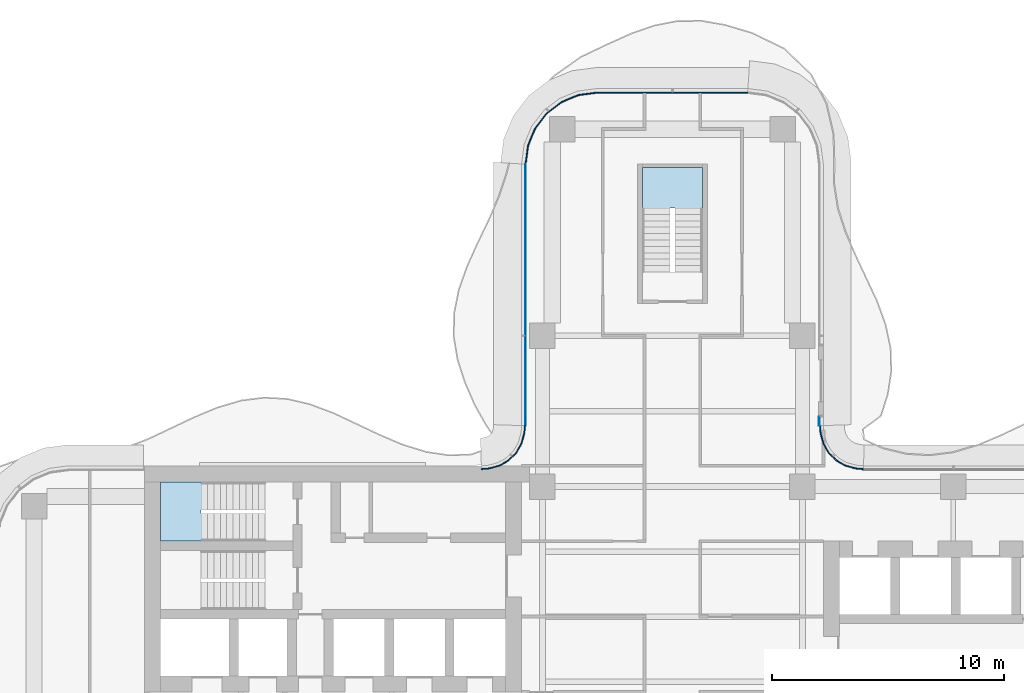
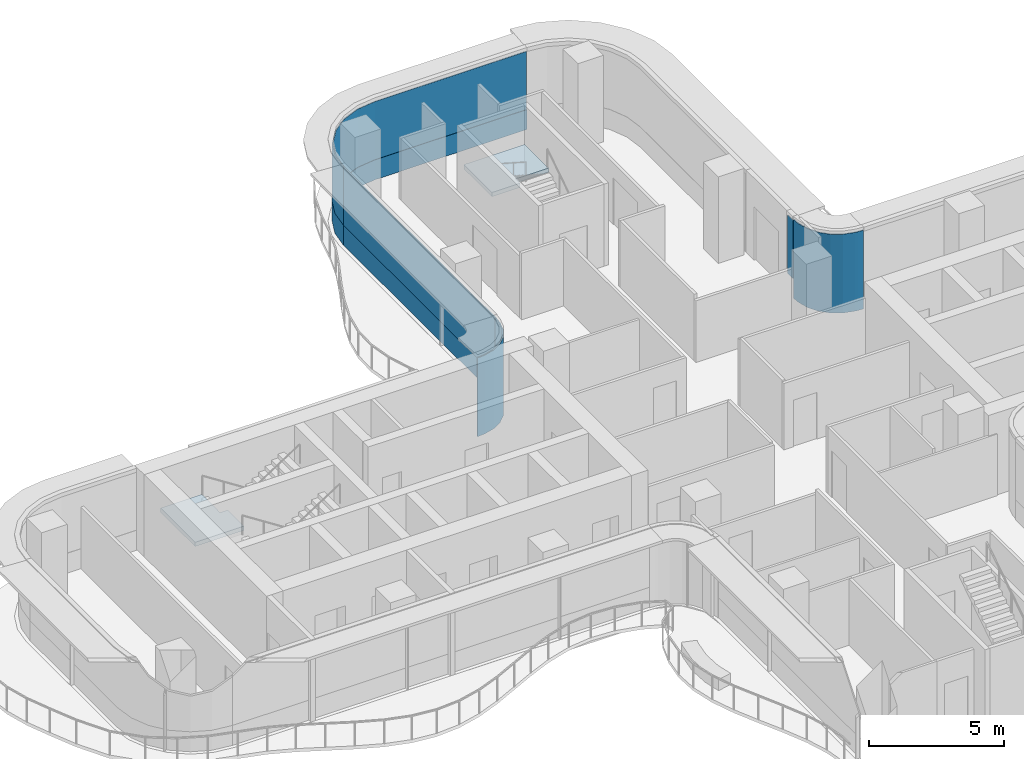
# One storey, part 12 of 19: 7 plates, 2 slabs, 7 elements without a shape of their own.
"""IFC4 building model written with IfcOpenShell, lengths in metres."""

from ifc_helpers import new_model, si_unit, direction, frame, origin, place, context, subcontext, project, spatial, polyline, outline, extrude, source, transform, mapped, material, layer, layer_set, type_object, element, aggregate, save


model = new_model("IFC4")

# Units and contexts
model_context = context("Model", 3, precision=1e-05, world=origin(), true_north=direction((0.0, 1.0)))
body_context = subcontext(model_context, "Body", "Model", "MODEL_VIEW")
ifc_project = project(units=[si_unit("LENGTHUNIT", "METRE"), si_unit("AREAUNIT", "SQUARE_METRE"), si_unit("VOLUMEUNIT", "CUBIC_METRE"), si_unit("PLANEANGLEUNIT", "RADIAN"), si_unit("MASSUNIT", "GRAM", prefix="KILO")], contexts=[model_context])

# Site, building, storey
site_placement = place(None, origin())
site = spatial("IfcSite", under=ifc_project, at=site_placement, CompositionType="ELEMENT")
building_placement = place(site_placement, origin())
building = spatial("IfcBuilding", under=site, at=building_placement, Name="Trellis Farm Tower", CompositionType="ELEMENT")
storey_placement = place(building_placement, frame((0.0, 0.0, 228.5)))
storey = spatial("IfcBuildingStorey", under=building, at=storey_placement, Name="L50", CompositionType="ELEMENT", Elevation=228.5)

# Stair, slab
ifc_material_1 = material(Name="Concrete C50/60", Category="concrete")
stair_type = type_object("IfcStairType", Name="CORE EXIT STAIR 22 RISERS 177 MM", PredefinedType="HALF_TURN_STAIR", material=ifc_material_1)
placement_1 = place(storey_placement, origin())
stair_1 = element("IfcStair", 1, at=placement_1, inside=storey, type_object=stair_type, Name="Exit stair N", PredefinedType="HALF_TURN_STAIR")
ifc_layer_1 = layer(ifc_material_1, 0.18994140625)
ifc_layer_set_1 = layer_set([ifc_layer_1], Name="CORE STAIR LANDING 190 CONCRETE C50/60")
slab_type = type_object("IfcSlabType", Name="CORE STAIR LANDING 190 CONCRETE C50/60", PredefinedType="LANDING", material=ifc_layer_set_1)
shared_shape_1 = source(origin(), body_context, "Body", "SweptSolid", [
    extrude(outline(polyline([(-0.10009765625, 17.27197265625), (-1.300048828125, 17.27197265625), (-1.300048828125, 17.60009765625), (-1.300048828125, 19.35009765625), (1.300048828125, 19.35009765625), (1.300048828125, 17.60009765625), (1.300048828125, 17.590087890625), (0.10009765625, 17.590087890625), (0.10009765625, 17.60009765625), (-0.10009765625, 17.60009765625), (-0.10009765625, 17.27197265625)])), origin(), (0.0, 0.0, 1.0), 0.18994140625),
])
placement_2 = place(storey_placement, frame((0.0, 0.0, 1.760009765625)))
slab_1 = element("IfcSlab", 2, at=placement_2, type_object=slab_type, Name="STN landing 1", PredefinedType="LANDING", context=body_context, shape_type="MappedRepresentation", body=[
    mapped(shared_shape_1, transform((0.0, 0.0, 0.0))),
])
aggregate(stair_1, [slab_1])

stair_2 = element("IfcStair", 3, at=placement_1, inside=storey, type_object=stair_type, Name="Exit stair W1", PredefinedType="HALF_TURN_STAIR")
shared_shape_2 = source(origin(), body_context, "Body", "SweptSolid", [
    extrude(outline(polyline([(-19.971923828125, 4.449951171875), (-19.971923828125, 3.25), (-20.300048828125, 3.25), (-22.050048828125, 3.25), (-22.050048828125, 5.800048828125), (-20.300048828125, 5.800048828125), (-20.2900390625, 5.800048828125), (-20.2900390625, 4.60009765625), (-20.300048828125, 4.60009765625), (-20.300048828125, 4.449951171875), (-19.971923828125, 4.449951171875)])), origin(), (0.0, 0.0, 1.0), 0.18994140625),
])
slab_2 = element("IfcSlab", 4, at=placement_2, type_object=slab_type, Name="STW1 landing 1", PredefinedType="LANDING", context=body_context, shape_type="MappedRepresentation", body=[
    mapped(shared_shape_2, transform((0.0, 0.0, 0.0))),
])
aggregate(stair_2, [slab_2])

# Curtain wall, plate
ifc_material_2 = material(Name="Aluminium and glass curtain wall", Category="aluminium")
ifc_layer_2 = layer(ifc_material_2, 0.166015625)
ifc_layer_set_2 = layer_set([ifc_layer_2], Name="WINTER GARDEN CURTAIN WALL CW3")
curtain_wall_type_1 = type_object("IfcCurtainWallType", Name="WINTER GARDEN CURTAIN WALL CW3", PredefinedType="NOTDEFINED", material=ifc_layer_set_2)
curtain_wall_1 = element("IfcCurtainWall", 5, at=placement_1, inside=storey, type_object=curtain_wall_type_1, Name="CW3 003", PredefinedType="NOTDEFINED")
ifc_material_3 = material(Name="Clear insulated glass", Category="glass")
ifc_layer_3 = layer(ifc_material_3, 0.0458984375)
ifc_layer_set_3 = layer_set([ifc_layer_3], Name="CW3 GLASS PANEL 46")
plate_type_1 = type_object("IfcPlateType", Name="CW3 GLASS PANEL 46", PredefinedType="CURTAIN_PANEL", material=ifc_layer_set_3)
shared_shape_3 = source(origin(), body_context, "Body", "SweptSolid", [
    extrude(outline(polyline([(8.2275390625, 6.3798828125), (8.0078125, 6.394287109375), (7.89208984375, 6.40966796875), (7.462158203125, 6.52490234375), (7.070556640625, 6.7509765625), (6.7509765625, 7.070556640625), (6.52490234375, 7.462158203125), (6.40966796875, 7.89208984375), (6.394287109375, 8.0078125), (6.3798828125, 8.2275390625), (6.333984375, 8.22607421875), (6.3486328125, 8.003173828125), (6.364501953125, 7.883056640625), (6.48193359375, 7.4443359375), (6.714111328125, 7.04248046875), (7.04248046875, 6.714111328125), (7.4443359375, 6.48193359375), (7.883056640625, 6.364501953125), (8.003173828125, 6.3486328125), (8.22607421875, 6.333984375), (8.2275390625, 6.3798828125)])), origin(), (0.0, 0.0, 1.0), 3.550048828125),
])
plate_1 = element("IfcPlate", 6, at=placement_1, type_object=plate_type_1, Name="PL3 003", PredefinedType="CURTAIN_PANEL", context=body_context, shape_type="MappedRepresentation", body=[
    mapped(shared_shape_3, transform((0.0, 0.0, 0.0))),
])
aggregate(curtain_wall_1, [plate_1])

curtain_wall_2 = element("IfcCurtainWall", 7, at=placement_1, inside=storey, type_object=curtain_wall_type_1, Name="CW3 004", PredefinedType="NOTDEFINED")
shared_shape_4 = source(origin(), body_context, "Body", "SweptSolid", [
    extrude(outline(polyline([(-6.3798828125, 8.2275390625), (-6.394287109375, 8.0078125), (-6.40966796875, 7.89208984375), (-6.52490234375, 7.462158203125), (-6.7509765625, 7.070556640625), (-7.070556640625, 6.7509765625), (-7.462158203125, 6.52490234375), (-7.89208984375, 6.40966796875), (-8.0078125, 6.394287109375), (-8.2275390625, 6.3798828125), (-8.22607421875, 6.333984375), (-8.003173828125, 6.3486328125), (-7.883056640625, 6.364501953125), (-7.4443359375, 6.48193359375), (-7.04248046875, 6.714111328125), (-6.714111328125, 7.04248046875), (-6.48193359375, 7.4443359375), (-6.364501953125, 7.883056640625), (-6.3486328125, 8.003173828125), (-6.333984375, 8.22607421875), (-6.3798828125, 8.2275390625)])), origin(), (0.0, 0.0, 1.0), 3.550048828125),
])
plate_2 = element("IfcPlate", 8, at=placement_1, type_object=plate_type_1, Name="PL3 004", PredefinedType="CURTAIN_PANEL", context=body_context, shape_type="MappedRepresentation", body=[
    mapped(shared_shape_4, transform((0.0, 0.0, 0.0))),
])
aggregate(curtain_wall_2, [plate_2])

# Curtain wall, plates
ifc_layer_4 = layer(ifc_material_2, 0.18994140625)
ifc_layer_set_4 = layer_set([ifc_layer_4], Name="RIBBON CURTAIN WALL CW1")
curtain_wall_type_2 = type_object("IfcCurtainWallType", Name="RIBBON CURTAIN WALL CW1", PredefinedType="NOTDEFINED", material=ifc_layer_set_4)
curtain_wall_3 = element("IfcCurtainWall", 9, at=placement_1, inside=storey, type_object=curtain_wall_type_2, Name="CW1 010", PredefinedType="NOTDEFINED")
ifc_layer_5 = layer(ifc_material_3, 0.0400390625)
ifc_layer_set_5 = layer_set([ifc_layer_5], Name="CW1 GLASS PANEL 40")
plate_type_2 = type_object("IfcPlateType", Name="CW1 GLASS PANEL 40", PredefinedType="CURTAIN_PANEL", material=ifc_layer_set_5)
shared_shape_5 = source(origin(), body_context, "Body", "SweptSolid", [
    extrude(outline(polyline([(3.240234375, 22.60009765625), (-3.240234375, 22.60009765625), (-4.052001953125, 22.4931640625), (-4.79931640625, 22.18359375), (-5.441162109375, 21.691162109375), (-5.93359375, 21.04931640625), (-6.2431640625, 20.302001953125), (-6.35009765625, 19.490234375), (-6.31005859375, 19.487548828125), (-6.2041015625, 20.29150390625), (-5.898681640625, 21.029296875), (-5.41259765625, 21.66259765625), (-4.779296875, 22.148681640625), (-4.04150390625, 22.4541015625), (-3.237548828125, 22.56005859375), (3.237548828125, 22.56005859375), (3.240234375, 22.60009765625)])), origin(), (0.0, 0.0, 1.0), 2.6201171875),
])
placement_3 = place(storey_placement, frame((0.0, 0.0, 0.89990234375)))
plate_3 = element("IfcPlate", 10, at=placement_3, type_object=plate_type_2, Name="PL1 010", PredefinedType="CURTAIN_PANEL", context=body_context, shape_type="MappedRepresentation", body=[
    mapped(shared_shape_5, transform((0.0, 0.0, 0.0))),
])
ifc_material_4 = material(Name="Sandstone faced insulated panel", Category="masonry")
ifc_layer_6 = layer(ifc_material_4, 0.050048828125)
ifc_layer_set_6 = layer_set([ifc_layer_6], Name="CW1 STONE SPANDREL PANEL 50")
plate_type_3 = type_object("IfcPlateType", Name="CW1 STONE SPANDREL PANEL 50", PredefinedType="CURTAIN_PANEL", material=ifc_layer_set_6)
shared_shape_6 = source(origin(), body_context, "Body", "SweptSolid", [
    extrude(outline(polyline([(3.240234375, 22.60009765625), (-3.240234375, 22.60009765625), (-4.052001953125, 22.4931640625), (-4.79931640625, 22.18359375), (-5.441162109375, 21.691162109375), (-5.93359375, 21.04931640625), (-6.2431640625, 20.302001953125), (-6.35009765625, 19.490234375), (-6.300048828125, 19.48681640625), (-6.1943359375, 20.2890625), (-5.889892578125, 21.024169921875), (-5.405517578125, 21.655517578125), (-4.774169921875, 22.139892578125), (-4.0390625, 22.4443359375), (-3.23681640625, 22.550048828125), (3.23681640625, 22.550048828125), (3.240234375, 22.60009765625)])), origin(), (0.0, 0.0, 1.0), 0.89990234375),
])
plate_4 = element("IfcPlate", 11, at=placement_1, type_object=plate_type_3, Name="PS1 010", PredefinedType="CURTAIN_PANEL", context=body_context, shape_type="MappedRepresentation", body=[
    mapped(shared_shape_6, transform((0.0, 0.0, 0.0))),
])
aggregate(curtain_wall_3, [plate_3, plate_4])

curtain_wall_4 = element("IfcCurtainWall", 12, at=placement_1, inside=storey, type_object=curtain_wall_type_2, Name="CW1 011", PredefinedType="NOTDEFINED")
shared_shape_7 = source(origin(), body_context, "Body", "SweptSolid", [
    extrude(outline(polyline([(-6.35009765625, 19.490234375), (-6.35009765625, 8.2265625), (-6.31005859375, 8.22509765625), (-6.31005859375, 19.487548828125), (-6.35009765625, 19.490234375)])), origin(), (0.0, 0.0, 1.0), 2.6201171875),
])
plate_5 = element("IfcPlate", 13, at=placement_3, type_object=plate_type_2, Name="PL1 011", PredefinedType="CURTAIN_PANEL", context=body_context, shape_type="MappedRepresentation", body=[
    mapped(shared_shape_7, transform((0.0, 0.0, 0.0))),
])
shared_shape_8 = source(origin(), body_context, "Body", "SweptSolid", [
    extrude(outline(polyline([(-6.35009765625, 19.490234375), (-6.35009765625, 8.2265625), (-6.300048828125, 8.224853515625), (-6.300048828125, 19.48681640625), (-6.35009765625, 19.490234375)])), origin(), (0.0, 0.0, 1.0), 0.89990234375),
])
plate_6 = element("IfcPlate", 14, at=placement_1, type_object=plate_type_3, Name="PS1 011", PredefinedType="CURTAIN_PANEL", context=body_context, shape_type="MappedRepresentation", body=[
    mapped(shared_shape_8, transform((0.0, 0.0, 0.0))),
])
aggregate(curtain_wall_4, [plate_5, plate_6])

# Curtain wall, plate
curtain_wall_5 = element("IfcCurtainWall", 15, at=placement_1, inside=storey, type_object=curtain_wall_type_2, Name="CW1 008", PredefinedType="NOTDEFINED")
shared_shape_9 = source(origin(), body_context, "Body", "SweptSolid", [
    extrude(outline(polyline([(6.35009765625, 8.2265625), (6.35009765625, 8.605712890625), (6.31005859375, 8.605712890625), (6.31005859375, 8.22509765625), (6.35009765625, 8.2265625)])), origin(), (0.0, 0.0, 1.0), 2.6201171875),
])
plate_7 = element("IfcPlate", 16, at=placement_3, type_object=plate_type_2, Name="PL1 008", PredefinedType="CURTAIN_PANEL", context=body_context, shape_type="MappedRepresentation", body=[
    mapped(shared_shape_9, transform((0.0, 0.0, 0.0))),
])
aggregate(curtain_wall_5, [plate_7])

save(model, "model.ifc")
